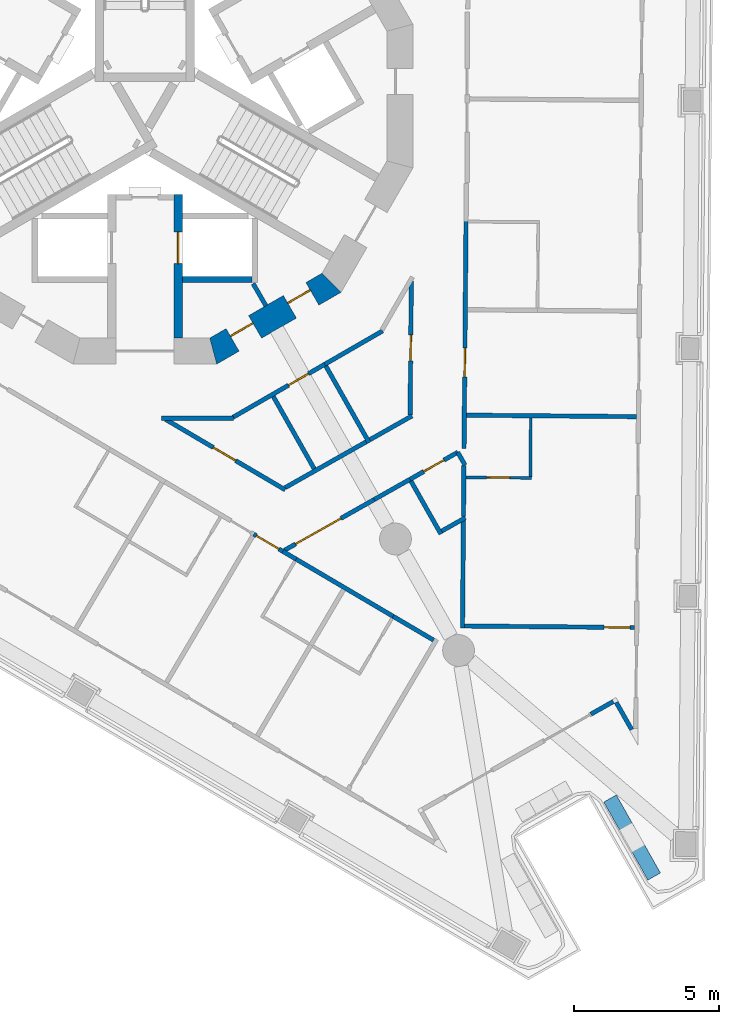
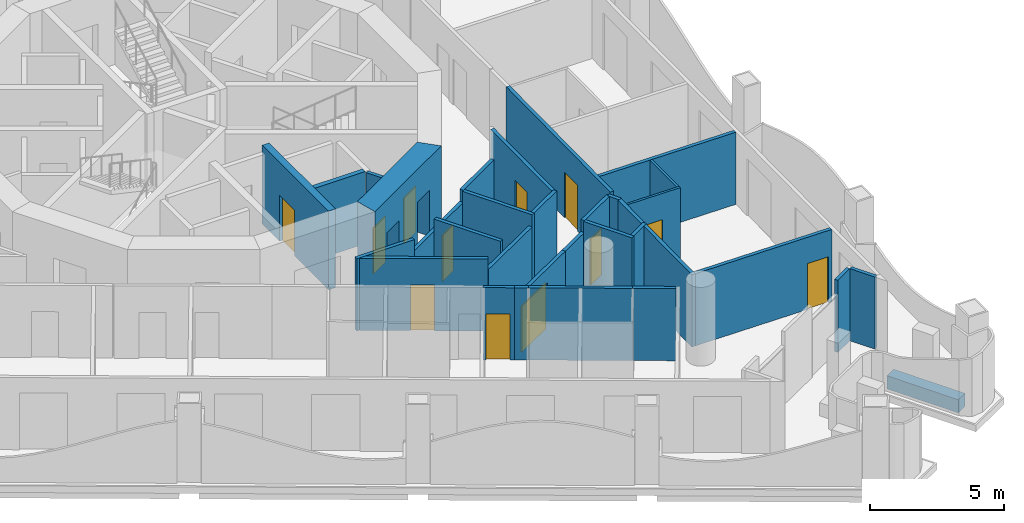
# One storey, part 5 of 18: 33 walls, 12 doors, 12 openings.
"""IFC4 building model written with IfcOpenShell, lengths in metres."""

from ifc_helpers import new_model, si_unit, direction, frame, frame_2d, origin, place, context, subcontext, project, spatial, polyline, rectangle, outline, extrude, material, layer, layer_set, type_object, element, fill, save


model = new_model("IFC4")

# Units and contexts
model_context = context("Model", 3, precision=1e-05, world=origin(), true_north=direction((0.0, 1.0)))
body_context = subcontext(model_context, "Body", "Model", "MODEL_VIEW")
ifc_project = project(units=[si_unit("LENGTHUNIT", "METRE"), si_unit("AREAUNIT", "SQUARE_METRE"), si_unit("VOLUMEUNIT", "CUBIC_METRE"), si_unit("PLANEANGLEUNIT", "RADIAN"), si_unit("MASSUNIT", "GRAM", prefix="KILO")], contexts=[model_context])

# Site, building, storey
site_placement = place(None, origin())
site = spatial("IfcSite", under=ifc_project, at=site_placement, CompositionType="ELEMENT")
building_placement = place(site_placement, origin())
building = spatial("IfcBuilding", under=site, at=building_placement, Name="Trine Commons Tower", CompositionType="ELEMENT")
storey_placement = place(building_placement, frame((0.0, 0.0, 171.89990234375)))
storey = spatial("IfcBuildingStorey", under=building, at=storey_placement, Name="L44", CompositionType="ELEMENT", Elevation=171.89990234375)

# Walls
ifc_material_1 = material(Name="Plasterboard partition on steel studs", Category="steel")
ifc_layer_1 = layer(ifc_material_1, 0.14990234375)
ifc_layer_set_1 = layer_set([ifc_layer_1], Name="Plasterboard partition on steel studs")
wall_type_1 = type_object("IfcWallType", Name="Core room partition 150 mm, EI 60", PredefinedType="PARTITIONING", material=ifc_layer_set_1)
wall_1_placement = place(storey_placement, frame((84.18603515625, 55.2490234375, 0.0), z_axis=(0.0, 0.0, 1.0), x_axis=(-0.499890179513, 0.866088799389, 0.0)))
element("IfcWall", 1, at=wall_1_placement, inside=storey, type_object=wall_type_1, Name="Core room partition L44", PredefinedType="PARTITIONING", context=body_context, shape_type="SweptSolid", body=[
    extrude(rectangle(XDim=0.882080078125, YDim=0.14990234375, at=frame_2d((0.44091796875, 0.0))), origin(), (0.0, 0.0, 1.0), 3.300048828125),
])
ifc_material_2 = material(Name="Aluminium-framed insulated wall panel", Category="aluminium")
ifc_layer_2 = layer(ifc_material_2, 0.14990234375)
ifc_layer_set_2 = layer_set([ifc_layer_2], Name="Aluminium-framed insulated wall panel")
wall_type_2 = type_object("IfcWallType", Name="Glazed frame wall 150, EI 60", PredefinedType="SOLIDWALL", material=ifc_layer_set_2)
wall_2_placement = place(storey_placement, frame((96.91552734375, 40.450927734375, 0.0), z_axis=(0.0, 0.0, 1.0), x_axis=(-0.492439994984, 0.870346397327, 0.0)))
element("IfcWall", 2, at=wall_2_placement, inside=storey, type_object=wall_type_2, Name="Glazed frame wall R9", PredefinedType="SOLIDWALL", context=body_context, shape_type="SweptSolid", body=[
    extrude(outline(polyline([(0.1494140625, 0.074951171875), (0.1494140625, -0.074951171875), (1.235107421875, -0.074951171875), (1.235107421875, 0.074951171875), (0.1494140625, 0.074951171875)])), origin(), (0.0, 0.0, 1.0), 3.300048828125),
])
wall_3_placement = place(storey_placement, frame((96.30078125, 41.6083984375, 0.0), z_axis=(0.0, 0.0, 1.0), x_axis=(-0.870353598469, -0.492427267353, 0.0)))
element("IfcWall", 3, at=wall_3_placement, inside=storey, type_object=wall_type_2, Name="Glazed frame wall P3.1", PredefinedType="SOLIDWALL", context=body_context, shape_type="SweptSolid", body=[
    extrude(outline(polyline([(0.110107421875, -0.074951171875), (1.0, -0.074951171875), (1.0, 0.074951171875), (0.110107421875, 0.074951171875), (0.110107421875, -0.074951171875)])), origin(), (0.0, 0.0, 1.0), 3.300048828125),
])
ifc_material_3 = material(Name="Planter trough, precast concrete C40/50", Category="concrete")
ifc_layer_3 = layer(ifc_material_3, 0.5)
ifc_layer_set_3 = layer_set([ifc_layer_3], Name="Planter trough, precast concrete C40/50")
wall_type_3 = type_object("IfcWallType", Name="Planter trough 500x600", PredefinedType="PARAPET", material=ifc_layer_set_3)
wall_4_placement = place(storey_placement, frame((97.619384765625, 35.500732421875, 0.0), z_axis=(0.0, 0.0, 1.0), x_axis=(-0.492428288095, 0.870353020954, 0.0)))
element("IfcWall", 4, at=wall_4_placement, inside=storey, type_object=wall_type_3, Name="Planter 7", PredefinedType="PARAPET", context=body_context, shape_type="SweptSolid", body=[
    extrude(rectangle(XDim=3.10009765625, YDim=0.5, at=frame_2d((1.550048828125, 0.0))), origin(), (0.0, 0.0, 1.0), 0.60009765625),
])

# Wall, opening, door
ifc_material_4 = material(Name="Concrete C60/75", Category="concrete")
ifc_layer_4 = layer(ifc_material_4, 0.300048828125)
ifc_layer_set_4 = layer_set([ifc_layer_4], Name="Concrete C60/75")
wall_type_4 = type_object("IfcWallType", Name="RC shear wall 300 mm, C60/75", PredefinedType="SHEAR", material=ifc_layer_set_4)
wall_5_placement = place(storey_placement, frame((81.14990234375, 59.10009765625, 0.0), z_axis=(0.0, 0.0, 1.0), x_axis=(0.0, -1.0, 0.0)))
wall_5 = element("IfcWall", 5, at=wall_5_placement, inside=storey, type_object=wall_type_4, Name="Core cross wall SWB-04 L44", PredefinedType="SHEAR", context=body_context, shape_type="SweptSolid", body=[
    extrude(rectangle(XDim=4.97314453125, YDim=0.300048828125, at=frame_2d((2.486572265625, 0.0))), origin(), (0.0, 0.0, 1.0), 3.60009765625),
])
opening_1_placement = place(wall_5_placement, frame((1.300048828125, 0.0, 0.0)))
opening_1 = element("IfcOpeningElement", 6, at=opening_1_placement, cuts=wall_5, Name="Opening LD9", PredefinedType="OPENING", context=body_context, shape_type="SweptSolid", body=[
    extrude(rectangle(XDim=1.10009765625, YDim=2.10009765625, at=frame_2d((0.550048828125, 1.050048828125))), frame((0.0, 0.159912109375, 0.0), z_axis=(0.0, -1.0, 0.0), x_axis=(1.0, 0.0, 0.0)), (0.0, 0.0, 1.0), 0.320068359375),
])
ifc_material_5 = material(Name="Stainless steel sliding door leaves", Category="steel")
door_type_1 = type_object("IfcDoorType", Name="Lift landing door, centre-opening sliding 1100 x 2100, FD90", OperationType="DOUBLE_DOOR_SLIDING", PredefinedType="DOOR", material=ifc_material_5)
door_1_placement = place(opening_1_placement, origin())
door_1 = element("IfcDoor", 7, at=door_1_placement, inside=storey, type_object=door_type_1, Name="Lift landing door FF1 L44", OperationType="DOUBLE_DOOR_SLIDING", OverallHeight=2.10009765625, OverallWidth=1.10009765625, PredefinedType="DOOR", context=body_context, shape_type="SweptSolid", body=[
    extrude(rectangle(XDim=1.10009765625, YDim=2.10009765625, at=frame_2d((0.550048828125, 1.050048828125))), frame((0.0, 0.02490234375, 0.0), z_axis=(0.0, -1.0, 0.0), x_axis=(1.0, 0.0, 0.0)), (0.0, 0.0, 1.0), 0.050048828125),
])
fill(opening_1, door_1)

# Wall, openings, doors
ifc_layer_5 = layer(ifc_material_4, 0.89990234375)
ifc_layer_set_5 = layer_set([ifc_layer_5], Name="Concrete C60/75")
wall_type_5 = type_object("IfcWallType", Name="RC shear wall 900 mm, C60/75", PredefinedType="SHEAR", material=ifc_layer_set_5)
wall_6_placement = place(storey_placement, frame((82.259765625, 53.61669921875, 0.0), z_axis=(0.0, 0.0, 1.0), x_axis=(0.866003133579, 0.500038571144, 0.0)))
wall_6 = element("IfcWall", 8, at=wall_6_placement, inside=storey, type_object=wall_type_5, Name="Core wall CWE-11 L44", PredefinedType="SHEAR", context=body_context, shape_type="SweptSolid", body=[
    extrude(outline(polyline([(0.0, -0.449951171875), (4.96923828125, -0.449951171875), (4.72802734375, 0.449951171875), (0.2412109375, 0.449951171875), (0.0, -0.449951171875)])), origin(), (0.0, 0.0, 1.0), 3.60009765625),
])
opening_2_placement = place(wall_6_placement, frame((0.89501953125, 0.0, 0.0)))
opening_2 = element("IfcOpeningElement", 9, at=opening_2_placement, cuts=wall_6, Name="Opening K11.17", PredefinedType="OPENING", context=body_context, shape_type="SweptSolid", body=[
    extrude(rectangle(XDim=0.89990234375, YDim=2.10009765625, at=frame_2d((0.449951171875, 1.050048828125))), frame((0.0, 0.4599609375, 0.0), z_axis=(0.0, -1.0, 0.0), x_axis=(1.0, 0.0, 0.0)), (0.0, 0.0, 1.0), 0.919921875),
])
opening_3_placement = place(wall_6_placement, frame((3.18408203125, 0.0, 0.0)))
opening_3 = element("IfcOpeningElement", 10, at=opening_3_placement, cuts=wall_6, Name="Opening K11.18", PredefinedType="OPENING", context=body_context, shape_type="SweptSolid", body=[
    extrude(rectangle(XDim=0.89990234375, YDim=2.10009765625, at=frame_2d((0.449951171875, 1.050048828125))), frame((0.0, 0.4599609375, 0.0), z_axis=(0.0, -1.0, 0.0), x_axis=(1.0, 0.0, 0.0)), (0.0, 0.0, 1.0), 0.919921875),
])
ifc_material_6 = material(Name="Steel door leaf, fire-rated", Category="steel")
door_type_2 = type_object("IfcDoorType", Name="Core room door, single leaf 900 x 2100, FD30S", OperationType="SINGLE_SWING_LEFT", PredefinedType="DOOR", material=ifc_material_6)
door_2_placement = place(opening_2_placement, origin())
door_2 = element("IfcDoor", 11, at=door_2_placement, inside=storey, type_object=door_type_2, Name="Door to Parcel store L44", OperationType="SINGLE_SWING_LEFT", OverallHeight=2.10009765625, OverallWidth=0.89990234375, PredefinedType="DOOR", context=body_context, shape_type="SweptSolid", body=[
    extrude(rectangle(XDim=0.89990234375, YDim=2.10009765625, at=frame_2d((0.449951171875, 1.050048828125))), frame((0.0, 0.1748046875, 0.0), z_axis=(0.0, -1.0, 0.0), x_axis=(1.0, 0.0, 0.0)), (0.0, 0.0, 1.0), 0.050048828125),
])
fill(opening_2, door_2)
door_3_placement = place(opening_3_placement, origin())
door_3 = element("IfcDoor", 12, at=door_3_placement, inside=storey, type_object=door_type_2, Name="Door to Print room L44", OperationType="SINGLE_SWING_RIGHT", OverallHeight=2.10009765625, OverallWidth=0.89990234375, PredefinedType="DOOR", context=body_context, shape_type="SweptSolid", body=[
    extrude(rectangle(XDim=0.89990234375, YDim=2.10009765625, at=frame_2d((0.449951171875, 1.050048828125))), frame((0.0, 0.1748046875, 0.0), z_axis=(0.0, -1.0, 0.0), x_axis=(1.0, 0.0, 0.0)), (0.0, 0.0, 1.0), 0.050048828125),
])
fill(opening_3, door_3)

# Walls
ifc_material_7 = material(Name="Fire-rated gypsum shaft wall system")
ifc_layer_6 = layer(ifc_material_7, 0.199951171875)
ifc_layer_set_6 = layer_set([ifc_layer_6], Name="Fire-rated gypsum shaft wall system")
wall_type_6 = type_object("IfcWallType", Name="Shaft wall 200 mm, EI 120", PredefinedType="PARTITIONING", material=ifc_layer_set_6)
wall_7_placement = place(storey_placement, frame((81.300048828125, 56.14990234375, 0.0), z_axis=(0.0, 0.0, 1.0), x_axis=(1.0, 0.0, 0.0)))
element("IfcWall", 13, at=wall_7_placement, inside=storey, type_object=wall_type_6, Name="Shaft wall L44", PredefinedType="PARTITIONING", context=body_context, shape_type="SweptSolid", body=[
    extrude(rectangle(XDim=2.39990234375, YDim=0.199951171875, at=frame_2d((1.199951171875, 0.0))), origin(), (0.0, 0.0, 1.0), 3.300048828125),
])
ifc_material_8 = material(Name="Gypsum plasterboard on steel stud", Category="steel")
ifc_layer_7 = layer(ifc_material_8, 0.14990234375)
ifc_layer_set_7 = layer_set([ifc_layer_7], Name="Gypsum plasterboard on steel stud")
wall_type_7 = type_object("IfcWallType", Name="Unit and corridor wall 150 mm, EI 60", PredefinedType="PARTITIONING", material=ifc_layer_set_7)
wall_8_placement = place(storey_placement, frame((80.574951171875, 51.35205078125, 0.0), z_axis=(0.0, 0.0, 1.0), x_axis=(1.0, 0.0, 0.0)))
element("IfcWall", 14, at=wall_8_placement, inside=storey, type_object=wall_type_7, Name="Partition 069", PredefinedType="PARTITIONING", context=body_context, shape_type="SweptSolid", body=[
    extrude(rectangle(XDim=2.487060546875, YDim=0.14990234375, at=frame_2d((1.24365234375, 0.0))), origin(), (0.0, 0.0, 1.0), 3.300048828125),
])

# Wall, opening, door
wall_9_placement = place(storey_placement, frame((80.718505859375, 51.31396484375, 0.0), z_axis=(0.0, 0.0, 1.0), x_axis=(0.86168823453, -0.507438061711, 0.0)))
wall_9 = element("IfcWall", 15, at=wall_9_placement, inside=storey, type_object=wall_type_7, Name="Partition 070", PredefinedType="PARTITIONING", context=body_context, shape_type="SweptSolid", body=[
    extrude(rectangle(XDim=4.798828125, YDim=0.14990234375, at=frame_2d((2.3994140625, 0.0))), origin(), (0.0, 0.0, 1.0), 3.300048828125),
])
opening_4_placement = place(wall_9_placement, frame((1.911865234375, 0.0, 0.0)))
opening_4 = element("IfcOpeningElement", 16, at=opening_4_placement, cuts=wall_9, Name="Opening D-5B34", PredefinedType="OPENING", context=body_context, shape_type="SweptSolid", body=[
    extrude(rectangle(XDim=0.89990234375, YDim=2.10009765625, at=frame_2d((0.449951171875, 1.050048828125))), frame((0.0, 0.0849609375, 0.0), z_axis=(0.0, -1.0, 0.0), x_axis=(1.0, 0.0, 0.0)), (0.0, 0.0, 1.0), 0.169921875),
])
ifc_material_9 = material(Name="Timber fire door set", Category="wood")
door_type_3 = type_object("IfcDoorType", Name="Service door 900 x 2100, FD30S", OperationType="NOTDEFINED", PredefinedType="DOOR", material=ifc_material_9)
door_4_placement = place(opening_4_placement, origin())
door_4 = element("IfcDoor", 17, at=door_4_placement, inside=storey, type_object=door_type_3, Name="Door D-5B34", OperationType="SINGLE_SWING_LEFT", OverallHeight=2.10009765625, OverallWidth=0.89990234375, PredefinedType="DOOR", context=body_context, shape_type="SweptSolid", body=[
    extrude(rectangle(XDim=0.89990234375, YDim=2.10009765625, at=frame_2d((0.449951171875, 1.050048828125))), frame((0.0, 0.02490234375, 0.0), z_axis=(0.0, -1.0, 0.0), x_axis=(1.0, 0.0, 0.0)), (0.0, 0.0, 1.0), 0.050048828125),
])
fill(opening_4, door_4)

wall_10_placement = place(storey_placement, frame((83.052001953125, 51.389404296875, 0.0), z_axis=(0.0, 0.0, 1.0), x_axis=(0.865986833321, 0.500066800053, 0.0)))
wall_10 = element("IfcWall", 18, at=wall_10_placement, inside=storey, type_object=wall_type_7, Name="Partition 078", PredefinedType="PARTITIONING", context=body_context, shape_type="SweptSolid", body=[
    extrude(rectangle(XDim=3.74365234375, YDim=0.14990234375, at=frame_2d((1.871826171875, 0.0))), origin(), (0.0, 0.0, 1.0), 2.75),
])
opening_5_placement = place(wall_10_placement, frame((2.215087890625, 0.0, 0.0)))
opening_5 = element("IfcOpeningElement", 19, at=opening_5_placement, cuts=wall_10, Name="Opening D-5B37", PredefinedType="OPENING", context=body_context, shape_type="SweptSolid", body=[
    extrude(rectangle(XDim=0.800048828125, YDim=2.10009765625, at=frame_2d((0.39990234375, 1.050048828125))), frame((0.0, 0.0849609375, 0.0), z_axis=(0.0, -1.0, 0.0), x_axis=(1.0, 0.0, 0.0)), (0.0, 0.0, 1.0), 0.169921875),
])
ifc_material_10 = material(Name="Painted timber", Category="wood")
door_type_4 = type_object("IfcDoorType", Name="Toilet door 800 x 2100, NOT RATED", OperationType="NOTDEFINED", PredefinedType="DOOR", material=ifc_material_10)
door_5_placement = place(opening_5_placement, frame((0.800048828125, 0.0, 0.0), z_axis=(0.0, 0.0, 1.0), x_axis=(-1.0, 0.0, 0.0)))
door_5 = element("IfcDoor", 20, at=door_5_placement, inside=storey, type_object=door_type_4, Name="Door D-5B37", OperationType="SINGLE_SWING_LEFT", OverallHeight=2.10009765625, OverallWidth=0.800048828125, PredefinedType="DOOR", context=body_context, shape_type="SweptSolid", body=[
    extrude(rectangle(XDim=0.800048828125, YDim=2.10009765625, at=frame_2d((0.39990234375, 1.050048828125))), frame((0.0, 0.02490234375, 0.0), z_axis=(0.0, -1.0, 0.0), x_axis=(1.0, 0.0, 0.0)), (0.0, 0.0, 1.0), 0.050048828125),
])
fill(opening_5, door_5)

wall_11_placement = place(storey_placement, frame((83.76611328125, 47.343017578125, 0.0), z_axis=(0.0, 0.0, 1.0), x_axis=(0.861734818552, -0.507358948374, 0.0)))
wall_11 = element("IfcWall", 21, at=wall_11_placement, inside=storey, type_object=wall_type_7, Name="Partition 081", PredefinedType="PARTITIONING", context=body_context, shape_type="SweptSolid", body=[
    extrude(rectangle(XDim=1.1650390625, YDim=0.14990234375, at=frame_2d((0.58251953125, 0.0))), origin(), (0.0, 0.0, 1.0), 3.300048828125),
])
opening_6_placement = place(wall_11_placement, frame((0.109619140625, 0.0, 0.0)))
opening_6 = element("IfcOpeningElement", 22, at=opening_6_placement, cuts=wall_11, Name="Opening D-5B23", PredefinedType="OPENING", context=body_context, shape_type="SweptSolid", body=[
    extrude(rectangle(XDim=0.89990234375, YDim=2.10009765625, at=frame_2d((0.449951171875, 1.050048828125))), frame((0.0, 0.0849609375, 0.0), z_axis=(0.0, -1.0, 0.0), x_axis=(1.0, 0.0, 0.0)), (0.0, 0.0, 1.0), 0.169921875),
])
door_type_5 = type_object("IfcDoorType", Name="Bedroom door 900 x 2100, FD30S", OperationType="NOTDEFINED", PredefinedType="DOOR", material=ifc_material_9)
door_6_placement = place(opening_6_placement, frame((0.89990234375, 0.0, 0.0), z_axis=(0.0, 0.0, 1.0), x_axis=(-1.0, 0.0, 0.0)))
door_6 = element("IfcDoor", 23, at=door_6_placement, inside=storey, type_object=door_type_5, Name="Door D-5B23", OperationType="SINGLE_SWING_RIGHT", OverallHeight=2.10009765625, OverallWidth=0.89990234375, PredefinedType="DOOR", context=body_context, shape_type="SweptSolid", body=[
    extrude(rectangle(XDim=0.89990234375, YDim=2.10009765625, at=frame_2d((0.449951171875, 1.050048828125))), frame((0.0, 0.02490234375, 0.0), z_axis=(0.0, -1.0, 0.0), x_axis=(1.0, 0.0, 0.0)), (0.0, 0.0, 1.0), 0.050048828125),
])
fill(opening_6, door_6)

# Walls
wall_12_placement = place(storey_placement, frame((84.44384765625, 52.106689453125, 0.0), z_axis=(0.0, 0.0, 1.0), x_axis=(0.492499814097, -0.870312549096, 0.0)))
element("IfcWall", 24, at=wall_12_placement, inside=storey, type_object=wall_type_7, Name="Partition 088", PredefinedType="PARTITIONING", context=body_context, shape_type="SweptSolid", body=[
    extrude(rectangle(XDim=2.87158203125, YDim=0.14990234375, at=frame_2d((1.435791015625, 0.0))), origin(), (0.0, 0.0, 1.0), 3.300048828125),
])
wall_13_placement = place(storey_placement, frame((84.77001953125, 46.751953125, 0.0), z_axis=(0.0, 0.0, 1.0), x_axis=(0.861655023, -0.507494454491, 0.0)))
element("IfcWall", 25, at=wall_13_placement, inside=storey, type_object=wall_type_7, Name="Partition 089", PredefinedType="PARTITIONING", context=body_context, shape_type="SweptSolid", body=[
    extrude(rectangle(XDim=0.539794921875, YDim=0.14990234375, at=frame_2d((0.27001953125, 0.0))), origin(), (0.0, 0.0, 1.0), 3.300048828125),
])

# Wall, opening, door
wall_14_placement = place(storey_placement, frame((84.835205078125, 46.788818359375, 0.0), z_axis=(0.0, 0.0, 1.0), x_axis=(0.870381542182, 0.492377874228, 0.0)))
wall_14 = element("IfcWall", 26, at=wall_14_placement, inside=storey, type_object=wall_type_7, Name="Partition 090", PredefinedType="PARTITIONING", context=body_context, shape_type="SweptSolid", body=[
    extrude(rectangle(XDim=3.5625, YDim=0.14990234375, at=frame_2d((1.78125, 0.0))), origin(), (0.0, 0.0, 1.0), 2.75),
])
opening_7_placement = place(wall_14_placement, frame((0.435546875, 0.0, 0.0)))
opening_7 = element("IfcOpeningElement", 27, at=opening_7_placement, cuts=wall_14, Name="Opening D-5B02", PredefinedType="OPENING", context=body_context, shape_type="SweptSolid", body=[
    extrude(rectangle(XDim=1.800048828125, YDim=2.10009765625, at=frame_2d((0.89990234375, 1.050048828125))), frame((0.0, 0.0849609375, 0.0), z_axis=(0.0, -1.0, 0.0), x_axis=(1.0, 0.0, 0.0)), (0.0, 0.0, 1.0), 0.169921875),
])
door_type_6 = type_object("IfcDoorType", Name="Cluster entrance door 1800 x 2100, double leaf, FD30S", OperationType="DOUBLE_DOOR_DOUBLE_SWING", PredefinedType="DOOR", material=ifc_material_9)
door_7_placement = place(opening_7_placement, frame((1.800048828125, 0.0, 0.0), z_axis=(0.0, 0.0, 1.0), x_axis=(-1.0, 0.0, 0.0)))
door_7 = element("IfcDoor", 28, at=door_7_placement, inside=storey, type_object=door_type_6, Name="Door D-5B02", OperationType="DOUBLE_DOOR_DOUBLE_SWING", OverallHeight=2.10009765625, OverallWidth=1.800048828125, PredefinedType="DOOR", context=body_context, shape_type="SweptSolid", body=[
    extrude(rectangle(XDim=1.800048828125, YDim=2.10009765625, at=frame_2d((0.89990234375, 1.050048828125))), frame((0.0, 0.02490234375, 0.0), z_axis=(0.0, -1.0, 0.0), x_axis=(1.0, 0.0, 0.0)), (0.0, 0.0, 1.0), 0.050048828125),
])
fill(opening_7, door_7)

# Walls
wall_15_placement = place(storey_placement, frame((84.854248046875, 48.953857421875, 0.0), z_axis=(0.0, 0.0, 1.0), x_axis=(0.870456695911, 0.492245000527, 0.0)))
element("IfcWall", 29, at=wall_15_placement, inside=storey, type_object=wall_type_7, Name="Partition 091", PredefinedType="PARTITIONING", context=body_context, shape_type="SweptSolid", body=[
    extrude(rectangle(XDim=3.29931640625, YDim=0.14990234375, at=frame_2d((1.649658203125, 0.0))), origin(), (0.0, 0.0, 1.0), 2.75),
])
wall_16_placement = place(storey_placement, frame((85.22900390625, 46.48193359375, 0.0), z_axis=(0.0, 0.0, 1.0), x_axis=(0.861496973754, -0.507762704629, 0.0)))
element("IfcWall", 30, at=wall_16_placement, inside=storey, type_object=wall_type_7, Name="Partition 096", PredefinedType="PARTITIONING", context=body_context, shape_type="SweptSolid", body=[
    extrude(rectangle(XDim=3.9072265625, YDim=0.14990234375, at=frame_2d((1.95361328125, 0.0))), origin(), (0.0, 0.0, 1.0), 3.300048828125),
])
wall_17_placement = place(storey_placement, frame((86.222900390625, 53.219970703125, 0.0), z_axis=(0.0, 0.0, 1.0), x_axis=(0.866032668777, 0.499987416453, 0.0)))
element("IfcWall", 31, at=wall_17_placement, inside=storey, type_object=wall_type_7, Name="Partition 100", PredefinedType="PARTITIONING", context=body_context, shape_type="SweptSolid", body=[
    extrude(rectangle(XDim=2.31298828125, YDim=0.14990234375, at=frame_2d((1.156494140625, 0.0))), origin(), (0.0, 0.0, 1.0), 3.300048828125),
])
wall_18_placement = place(storey_placement, frame((86.262939453125, 53.15673828125, 0.0), z_axis=(0.0, 0.0, 1.0), x_axis=(0.492432966666, -0.870350373896, 0.0)))
element("IfcWall", 32, at=wall_18_placement, inside=storey, type_object=wall_type_7, Name="Partition 101", PredefinedType="PARTITIONING", context=body_context, shape_type="SweptSolid", body=[
    extrude(rectangle(XDim=3.0400390625, YDim=0.14990234375, at=frame_2d((1.52001953125, 0.0))), origin(), (0.0, 0.0, 1.0), 3.300048828125),
])
wall_19_placement = place(storey_placement, frame((87.785400390625, 50.61181640625, 0.0), z_axis=(0.0, 0.0, 1.0), x_axis=(0.870416092443, 0.492316794368, 0.0)))
element("IfcWall", 33, at=wall_19_placement, inside=storey, type_object=wall_type_7, Name="Partition 106", PredefinedType="PARTITIONING", context=body_context, shape_type="SweptSolid", body=[
    extrude(rectangle(XDim=1.673583984375, YDim=0.14990234375, at=frame_2d((0.8369140625, 0.0))), origin(), (0.0, 0.0, 1.0), 3.300048828125),
])
wall_20_placement = place(storey_placement, frame((87.93603515625, 48.54296875, 0.0), z_axis=(0.0, 0.0, 1.0), x_axis=(0.870505283706, 0.492159070871, 0.0)))
element("IfcWall", 34, at=wall_20_placement, inside=storey, type_object=wall_type_7, Name="Partition 108", PredefinedType="PARTITIONING", context=body_context, shape_type="SweptSolid", body=[
    extrude(rectangle(XDim=1.422119140625, YDim=0.14990234375, at=frame_2d((0.7109375, 0.0))), origin(), (0.0, 0.0, 1.0), 2.75),
])
wall_21_placement = place(storey_placement, frame((88.589111328125, 44.501953125, 0.0), z_axis=(0.0, 0.0, 1.0), x_axis=(0.861613540122, -0.507564880068, 0.0)))
element("IfcWall", 35, at=wall_21_placement, inside=storey, type_object=wall_type_7, Name="Partition 112", PredefinedType="PARTITIONING", context=body_context, shape_type="SweptSolid", body=[
    extrude(rectangle(XDim=1.625244140625, YDim=0.14990234375, at=frame_2d((0.8125, 0.0))), origin(), (0.0, 0.0, 1.0), 3.300048828125),
])

# Wall, opening, door
wall_22_placement = place(storey_placement, frame((89.16796875, 49.239013671875, 0.0), z_axis=(0.0, 0.0, 1.0), x_axis=(0.870049645281, 0.492964111013, 0.0)))
wall_22 = element("IfcWall", 36, at=wall_22_placement, inside=storey, type_object=wall_type_7, Name="Partition 114", PredefinedType="PARTITIONING", context=body_context, shape_type="SweptSolid", body=[
    extrude(rectangle(XDim=1.90673828125, YDim=0.14990234375, at=frame_2d((0.953369140625, 0.0))), origin(), (0.0, 0.0, 1.0), 3.300048828125),
])
opening_8_placement = place(wall_22_placement, frame((0.553466796875, 0.0, 0.0)))
opening_8 = element("IfcOpeningElement", 37, at=opening_8_placement, cuts=wall_22, Name="Opening D-5B04", PredefinedType="OPENING", context=body_context, shape_type="SweptSolid", body=[
    extrude(rectangle(XDim=0.800048828125, YDim=2.10009765625, at=frame_2d((0.39990234375, 1.050048828125))), frame((0.0, 0.0849609375, 0.0), z_axis=(0.0, -1.0, 0.0), x_axis=(1.0, 0.0, 0.0)), (0.0, 0.0, 1.0), 0.169921875),
])
door_8_placement = place(opening_8_placement, frame((0.800048828125, 0.0, 0.0), z_axis=(0.0, 0.0, 1.0), x_axis=(-1.0, 0.0, 0.0)))
door_8 = element("IfcDoor", 38, at=door_8_placement, inside=storey, type_object=door_type_4, Name="Door D-5B04", OperationType="SINGLE_SWING_LEFT", OverallHeight=2.10009765625, OverallWidth=0.800048828125, PredefinedType="DOOR", context=body_context, shape_type="SweptSolid", body=[
    extrude(rectangle(XDim=0.800048828125, YDim=2.10009765625, at=frame_2d((0.39990234375, 1.050048828125))), frame((0.0, 0.02490234375, 0.0), z_axis=(0.0, -1.0, 0.0), x_axis=(1.0, 0.0, 0.0)), (0.0, 0.0, 1.0), 0.050048828125),
])
fill(opening_8, door_8)

# Wall
wall_23_placement = place(storey_placement, frame((89.2080078125, 49.17578125, 0.0), z_axis=(0.0, 0.0, 1.0), x_axis=(0.492490202922, -0.870317987879, 0.0)))
element("IfcWall", 39, at=wall_23_placement, inside=storey, type_object=wall_type_7, Name="Partition 115", PredefinedType="PARTITIONING", context=body_context, shape_type="SweptSolid", body=[
    extrude(rectangle(XDim=2.099365234375, YDim=0.14990234375, at=frame_2d((1.0498046875, 0.0))), origin(), (0.0, 0.0, 1.0), 3.300048828125),
])

# Wall, opening, door
wall_24_placement = place(storey_placement, frame((89.177490234375, 51.47412109375, 0.0), z_axis=(0.0, 0.0, 1.0), x_axis=(0.008609896903, 0.999962934151, 0.0)))
wall_24 = element("IfcWall", 40, at=wall_24_placement, inside=storey, type_object=wall_type_7, Name="Partition 116", PredefinedType="PARTITIONING", context=body_context, shape_type="SweptSolid", body=[
    extrude(rectangle(XDim=4.6220703125, YDim=0.14990234375, at=frame_2d((2.31103515625, 0.0))), origin(), (0.0, 0.0, 1.0), 3.300048828125),
])
opening_9_placement = place(wall_24_placement, frame((1.861083984375, 0.0, 0.0)))
opening_9 = element("IfcOpeningElement", 41, at=opening_9_placement, cuts=wall_24, Name="Opening D-5B32", PredefinedType="OPENING", context=body_context, shape_type="SweptSolid", body=[
    extrude(rectangle(XDim=0.89990234375, YDim=2.10009765625, at=frame_2d((0.449951171875, 1.050048828125))), frame((0.0, 0.0849609375, 0.0), z_axis=(0.0, -1.0, 0.0), x_axis=(1.0, 0.0, 0.0)), (0.0, 0.0, 1.0), 0.169921875),
])
door_9_placement = place(opening_9_placement, origin())
door_9 = element("IfcDoor", 42, at=door_9_placement, inside=storey, type_object=door_type_3, Name="Door D-5B32", OperationType="SINGLE_SWING_LEFT", OverallHeight=2.10009765625, OverallWidth=0.89990234375, PredefinedType="DOOR", context=body_context, shape_type="SweptSolid", body=[
    extrude(rectangle(XDim=0.89990234375, YDim=2.10009765625, at=frame_2d((0.449951171875, 1.050048828125))), frame((0.0, 0.02490234375, 0.0), z_axis=(0.0, -1.0, 0.0), x_axis=(1.0, 0.0, 0.0)), (0.0, 0.0, 1.0), 0.050048828125),
])
fill(opening_9, door_9)

# Walls
wall_25_placement = place(storey_placement, frame((90.270263671875, 47.450927734375, 0.0), z_axis=(0.0, 0.0, 1.0), x_axis=(0.870538616766, 0.492100108432, 0.0)))
element("IfcWall", 43, at=wall_25_placement, inside=storey, type_object=wall_type_7, Name="Partition 118", PredefinedType="PARTITIONING", context=body_context, shape_type="SweptSolid", body=[
    extrude(rectangle(XDim=0.938720703125, YDim=0.14990234375, at=frame_2d((0.46923828125, 0.0))), origin(), (0.0, 0.0, 1.0), 3.300048828125),
])
wall_26_placement = place(storey_placement, frame((90.823974609375, 50.177001953125, 0.0), z_axis=(0.0, 0.0, 1.0), x_axis=(0.493654600783, -0.869658056437, 0.0)))
element("IfcWall", 44, at=wall_26_placement, inside=storey, type_object=wall_type_7, Name="Partition 119", PredefinedType="PARTITIONING", context=body_context, shape_type="SweptSolid", body=[
    extrude(rectangle(XDim=0.50830078125, YDim=0.14990234375, at=frame_2d((0.254150390625, 0.0))), origin(), (0.0, 0.0, 1.0), 3.300048828125),
])
wall_27_placement = place(storey_placement, frame((90.98828125, 44.092041015625, 0.0), z_axis=(0.0, 0.0, 1.0), x_axis=(0.008789427608, 0.999961372235, 0.0)))
element("IfcWall", 45, at=wall_27_placement, inside=storey, type_object=wall_type_7, Name="Partition 120", PredefinedType="PARTITIONING", context=body_context, shape_type="SweptSolid", body=[
    extrude(rectangle(XDim=3.72216796875, YDim=0.14990234375, at=frame_2d((1.861083984375, 0.0))), origin(), (0.0, 0.0, 1.0), 3.300048828125),
])

# Wall, opening, door
wall_28_placement = place(storey_placement, frame((91.06396484375, 44.166259765625, 0.0), z_axis=(0.0, 0.0, 1.0), x_axis=(0.999962273479, -0.008686289076, 0.0)))
wall_28 = element("IfcWall", 46, at=wall_28_placement, inside=storey, type_object=wall_type_7, Name="Partition 121", PredefinedType="PARTITIONING", context=body_context, shape_type="SweptSolid", body=[
    extrude(rectangle(XDim=5.874267578125, YDim=0.14990234375, at=frame_2d((2.93701171875, 0.0))), origin(), (0.0, 0.0, 1.0), 3.300048828125),
])
opening_10_placement = place(wall_28_placement, frame((4.82421875, 0.0, 0.0)))
opening_10 = element("IfcOpeningElement", 47, at=opening_10_placement, cuts=wall_28, Name="Opening D-5B21", PredefinedType="OPENING", context=body_context, shape_type="SweptSolid", body=[
    extrude(rectangle(XDim=0.89990234375, YDim=2.10009765625, at=frame_2d((0.449951171875, 1.050048828125))), frame((0.0, 0.0849609375, 0.0), z_axis=(0.0, -1.0, 0.0), x_axis=(1.0, 0.0, 0.0)), (0.0, 0.0, 1.0), 0.169921875),
])
door_10_placement = place(opening_10_placement, origin())
door_10 = element("IfcDoor", 48, at=door_10_placement, inside=storey, type_object=door_type_5, Name="Door D-5B21", OperationType="SINGLE_SWING_RIGHT", OverallHeight=2.10009765625, OverallWidth=0.89990234375, PredefinedType="DOOR", context=body_context, shape_type="SweptSolid", body=[
    extrude(rectangle(XDim=0.89990234375, YDim=2.10009765625, at=frame_2d((0.449951171875, 1.050048828125))), frame((0.0, 0.02490234375, 0.0), z_axis=(0.0, -1.0, 0.0), x_axis=(1.0, 0.0, 0.0)), (0.0, 0.0, 1.0), 0.050048828125),
])
fill(opening_10, door_10)

# Wall
wall_29_placement = place(storey_placement, frame((91.022705078125, 47.950927734375, 0.0), z_axis=(0.0, 0.0, 1.0), x_axis=(0.008256220588, 0.99996591683, 0.0)))
element("IfcWall", 49, at=wall_29_placement, inside=storey, type_object=wall_type_7, Name="Partition 122", PredefinedType="PARTITIONING", context=body_context, shape_type="SweptSolid", body=[
    extrude(rectangle(XDim=1.774169921875, YDim=0.14990234375, at=frame_2d((0.88720703125, 0.0))), origin(), (0.0, 0.0, 1.0), 3.300048828125),
])

# Wall, opening, door
wall_30_placement = place(storey_placement, frame((91.0419921875, 50.300048828125, 0.0), z_axis=(0.0, 0.0, 1.0), x_axis=(0.008763202243, 0.999961602406, 0.0)))
wall_30 = element("IfcWall", 50, at=wall_30_placement, inside=storey, type_object=wall_type_7, Name="Partition 124", PredefinedType="PARTITIONING", context=body_context, shape_type="SweptSolid", body=[
    extrude(rectangle(XDim=7.912109375, YDim=0.14990234375, at=frame_2d((3.9560546875, 0.0))), origin(), (0.0, 0.0, 1.0), 3.300048828125),
])
opening_11_placement = place(wall_30_placement, frame((2.484619140625, 0.0, 0.0)))
opening_11 = element("IfcOpeningElement", 51, at=opening_11_placement, cuts=wall_30, Name="Opening D-5B20", PredefinedType="OPENING", context=body_context, shape_type="SweptSolid", body=[
    extrude(rectangle(XDim=1.0, YDim=2.10009765625, at=frame_2d((0.5, 1.050048828125))), frame((0.0, 0.0849609375, 0.0), z_axis=(0.0, -1.0, 0.0), x_axis=(1.0, 0.0, 0.0)), (0.0, 0.0, 1.0), 0.169921875),
])
door_type_7 = type_object("IfcDoorType", Name="Amenity room door 1000 x 2100, NOT RATED", OperationType="NOTDEFINED", PredefinedType="DOOR", material=ifc_material_10)
door_11_placement = place(opening_11_placement, frame((1.0, 0.0, 0.0), z_axis=(0.0, 0.0, 1.0), x_axis=(-1.0, 0.0, 0.0)))
door_11 = element("IfcDoor", 52, at=door_11_placement, inside=storey, type_object=door_type_7, Name="Door D-5B20", OperationType="SINGLE_SWING_RIGHT", OverallHeight=2.10009765625, OverallWidth=1.0, PredefinedType="DOOR", context=body_context, shape_type="SweptSolid", body=[
    extrude(rectangle(XDim=1.0, YDim=2.10009765625, at=frame_2d((0.5, 1.050048828125))), frame((0.0, 0.02490234375, 0.0), z_axis=(0.0, -1.0, 0.0), x_axis=(1.0, 0.0, 0.0)), (0.0, 0.0, 1.0), 0.050048828125),
])
fill(opening_11, door_11)

# Wall
wall_31_placement = place(storey_placement, frame((91.126953125, 51.460205078125, 0.0), z_axis=(0.0, 0.0, 1.0), x_axis=(0.999962273479, -0.008686289076, 0.0)))
element("IfcWall", 53, at=wall_31_placement, inside=storey, type_object=wall_type_7, Name="Partition 125", PredefinedType="PARTITIONING", context=body_context, shape_type="SweptSolid", body=[
    extrude(rectangle(XDim=5.874267578125, YDim=0.14990234375, at=frame_2d((2.93701171875, 0.0))), origin(), (0.0, 0.0, 1.0), 3.300048828125),
])

# Wall, opening, door
ifc_layer_8 = layer(ifc_material_8, 0.10009765625)
ifc_layer_set_8 = layer_set([ifc_layer_8], Name="Gypsum plasterboard on steel stud")
wall_type_8 = type_object("IfcWallType", Name="Unit partition 100 mm, no rating", PredefinedType="PARTITIONING", material=ifc_layer_set_8)
wall_32_placement = place(storey_placement, frame((91.10888671875, 49.311279296875, 0.0), z_axis=(0.0, 0.0, 1.0), x_axis=(0.999958404904, -0.009120770943, 0.0)))
wall_32 = element("IfcWall", 54, at=wall_32_placement, inside=storey, type_object=wall_type_8, Name="Partition 123", PredefinedType="PARTITIONING", context=body_context, shape_type="SweptSolid", body=[
    extrude(rectangle(XDim=2.275146484375, YDim=0.10009765625, at=frame_2d((1.1376953125, 0.0))), origin(), (0.0, 0.0, 1.0), 3.300048828125),
])
opening_12_placement = place(wall_32_placement, frame((0.71240234375, 0.0, 0.0)))
opening_12 = element("IfcOpeningElement", 55, at=opening_12_placement, cuts=wall_32, Name="Opening D-5B52", PredefinedType="OPENING", context=body_context, shape_type="SweptSolid", body=[
    extrude(rectangle(XDim=0.800048828125, YDim=2.10009765625, at=frame_2d((0.39990234375, 1.050048828125))), frame((0.0, 0.06005859375, 0.0), z_axis=(0.0, -1.0, 0.0), x_axis=(1.0, 0.0, 0.0)), (0.0, 0.0, 1.0), 0.1201171875),
])
door_type_8 = type_object("IfcDoorType", Name="Internal door 800 x 2100, NOT RATED", OperationType="NOTDEFINED", PredefinedType="DOOR", material=ifc_material_10)
door_12_placement = place(opening_12_placement, frame((0.800048828125, 0.0, 0.0), z_axis=(0.0, 0.0, 1.0), x_axis=(-1.0, 0.0, 0.0)))
door_12 = element("IfcDoor", 56, at=door_12_placement, inside=storey, type_object=door_type_8, Name="Door D-5B52", OperationType="SINGLE_SWING_RIGHT", OverallHeight=2.10009765625, OverallWidth=0.800048828125, PredefinedType="DOOR", context=body_context, shape_type="SweptSolid", body=[
    extrude(rectangle(XDim=0.800048828125, YDim=2.10009765625, at=frame_2d((0.39990234375, 1.050048828125))), frame((0.0, 0.02490234375, 0.0), z_axis=(0.0, -1.0, 0.0), x_axis=(1.0, 0.0, 0.0)), (0.0, 0.0, 1.0), 0.050048828125),
])
fill(opening_12, door_12)

# Wall
wall_33_placement = place(storey_placement, frame((93.33447265625, 49.341064453125, 0.0), z_axis=(0.0, 0.0, 1.0), x_axis=(0.008318979066, 0.999965396695, 0.0)))
element("IfcWall", 57, at=wall_33_placement, inside=storey, type_object=wall_type_8, Name="Partition 144", PredefinedType="PARTITIONING", context=body_context, shape_type="SweptSolid", body=[
    extrude(rectangle(XDim=2.02490234375, YDim=0.10009765625, at=frame_2d((1.012451171875, 0.0))), origin(), (0.0, 0.0, 1.0), 3.300048828125),
])

save(model, "model.ifc")
